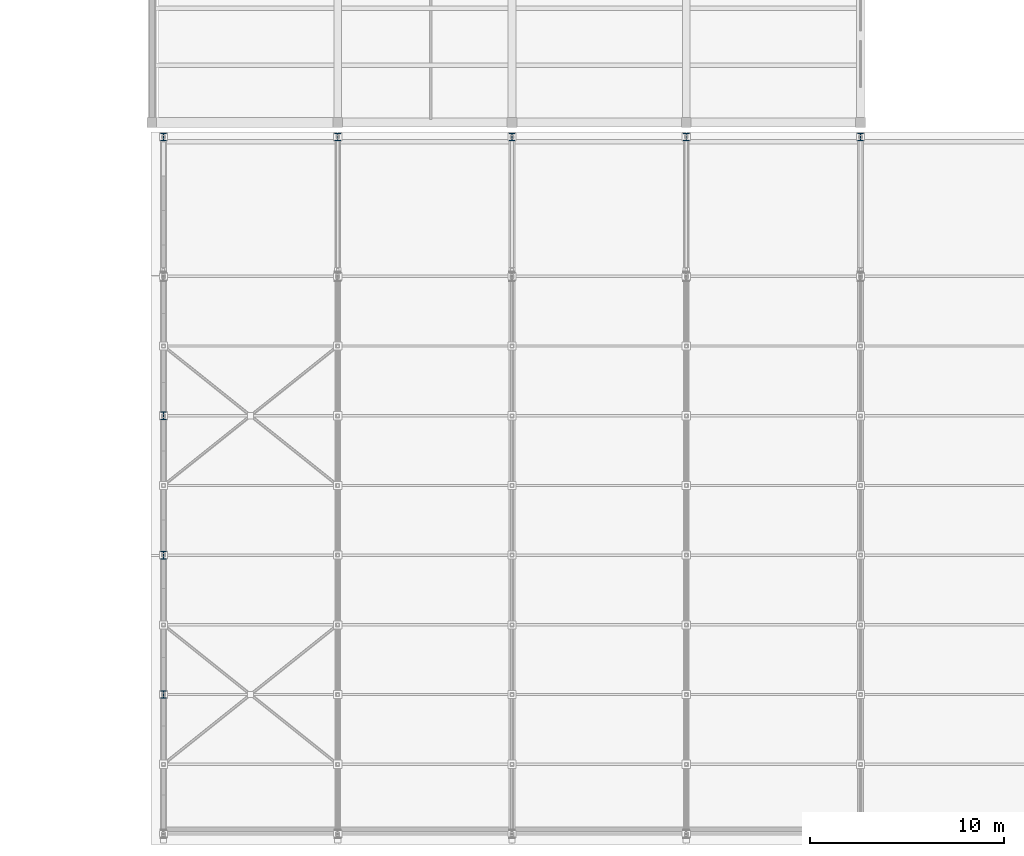
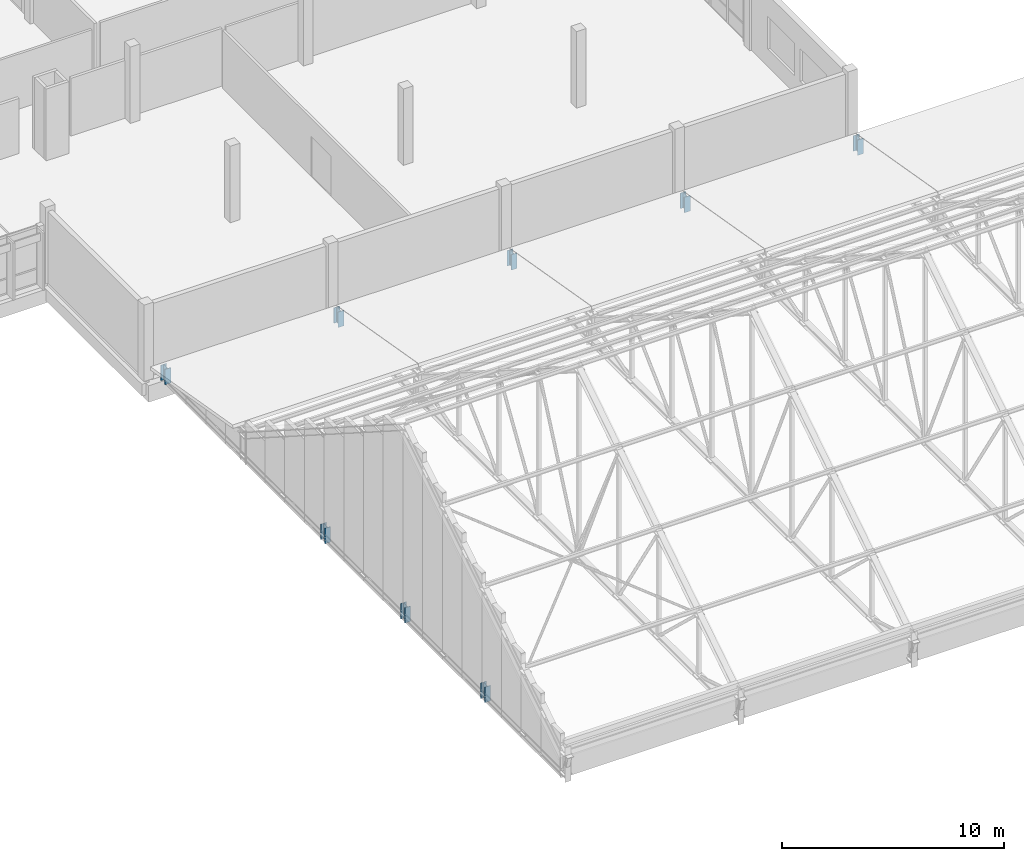
# One storey, part 10 of 182: 8 columns.
"""IFC4 building model written with IfcOpenShell, lengths in metres."""

from ifc_helpers import new_model, si_unit, direction, frame, origin, origin_2d, place, context, subcontext, project, spatial, i_section, extrude, material, material_profile, profile_set, type_object, element, save


model = new_model("IFC4")

# Units and contexts
model_context = context("Model", 3, precision=1e-05, world=origin(), true_north=direction((0.0, 1.0)))
body_context = subcontext(model_context, "Body", "Model", "MODEL_VIEW")
ifc_project = project(units=[si_unit("LENGTHUNIT", "METRE"), si_unit("AREAUNIT", "SQUARE_METRE"), si_unit("VOLUMEUNIT", "CUBIC_METRE"), si_unit("PLANEANGLEUNIT", "RADIAN"), si_unit("MASSUNIT", "GRAM", prefix="KILO")], contexts=[model_context])

# Site, building, storey
site_placement = place(None, origin())
site = spatial("IfcSite", under=ifc_project, at=site_placement, CompositionType="ELEMENT")
building_placement = place(site_placement, origin())
building = spatial("IfcBuilding", under=site, at=building_placement, Name="Chiffa Square Polytechnic", CompositionType="ELEMENT")
storey_placement = place(building_placement, frame((0.0, 0.0, 9.60009765625)))
storey = spatial("IfcBuildingStorey", under=building, at=storey_placement, Name="L02", CompositionType="ELEMENT", Elevation=9.60009765625)

# Columns
ifc_material = material(Name="Steel S355", Category="steel")
ifc_material_profile = material_profile(ifc_material, i_section(OverallWidth=0.300048828125, OverallDepth=0.39990234375, WebThickness=0.013427734375, FlangeThickness=0.02392578125, FilletRadius=0.027099609375, at=origin_2d()), Name="HEB 400")
ifc_profile_set = profile_set([ifc_material_profile], Name="Steel S355")
column_type = type_object("IfcColumnType", Name="COL-STL-HEB400", PredefinedType="COLUMN", material=ifc_profile_set)
for number, where, z_axis, x_axis, name in (
    (1, (112.199951171875, 65.39990234375, 0.0), (0.0, 0.0, 1.0), (1.0, 0.0, 0.0), "Workshop roof column C-V2-L02-1122-0654"),
    (2, (112.199951171875, 72.60009765625, 0.0), (0.0, 0.0, 1.0), (1.0, 0.0, 0.0), "Workshop roof column C-V2-L02-1122-0726"),
    (3, (112.199951171875, 79.800048828125, 0.0), (0.0, 0.0, 1.0), (1.0, 0.0, 0.0), "Workshop roof column C-V2-L02-1122-0798"),
    (4, (112.199951171875, 94.199951171875, 0.0), (0.0, 0.0, 1.0), (1.0, 0.0, 0.0), "Workshop roof column C-V2-L02-1122-0942"),
    (5, (121.199951171875, 94.199951171875, 0.0), (0.0, 0.0, 1.0), (1.0, 0.0, 0.0), "Workshop roof column C-V2-L02-1212-0942"),
    (6, (130.199951171875, 94.199951171875, 0.0), (0.0, 0.0, 1.0), (1.0, 0.0, 0.0), "Workshop roof column C-V2-L02-1302-0942"),
    (7, (139.199951171875, 94.199951171875, 0.0), (0.0, 0.0, 1.0), (1.0, 0.0, 0.0), "Workshop roof column C-V2-L02-1392-0942"),
    (8, (148.199951171875, 94.199951171875, 0.0), (0.0, 0.0, 1.0), (1.0, 0.0, 0.0), "Workshop roof column C-V2-L02-1482-0942"),
):
    element("IfcColumn", number, at=place(storey_placement, frame(where, z_axis=z_axis, x_axis=x_axis)), inside=storey, type_object=column_type, Name=name, PredefinedType="COLUMN", context=body_context, shape_type="SweptSolid", body=[
        extrude(i_section(OverallWidth=0.300048828125, OverallDepth=0.39990234375, WebThickness=0.013427734375, FlangeThickness=0.02392578125, FilletRadius=0.027099609375, at=origin_2d()), origin(), (0.0, 0.0, 1.0), 0.849853515625),
    ])

save(model, "model.ifc")
